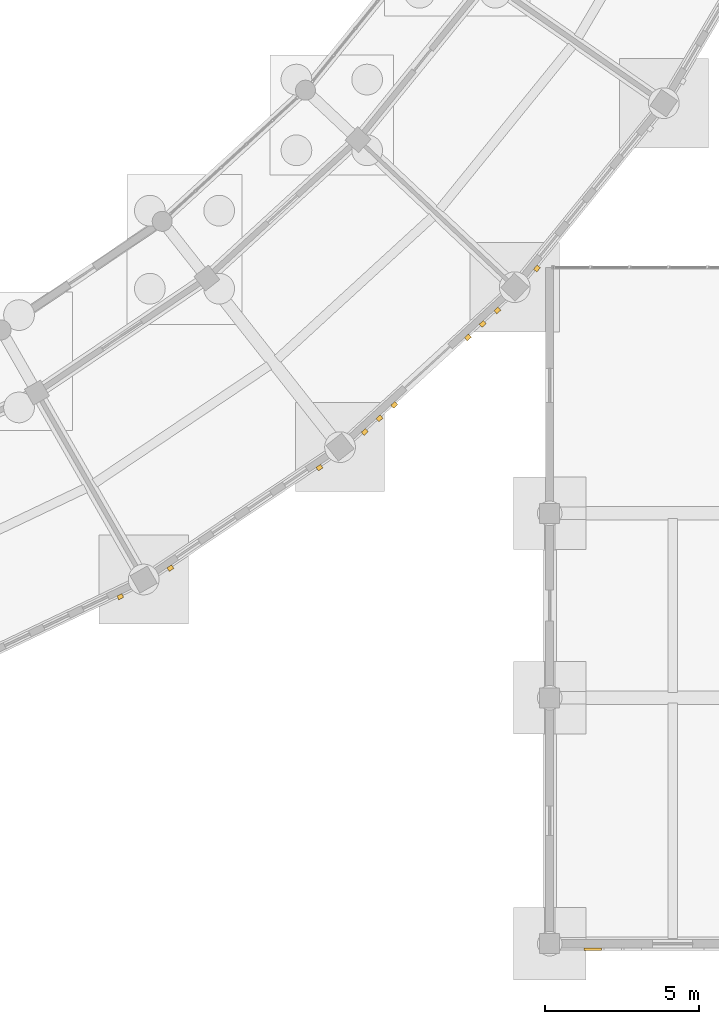
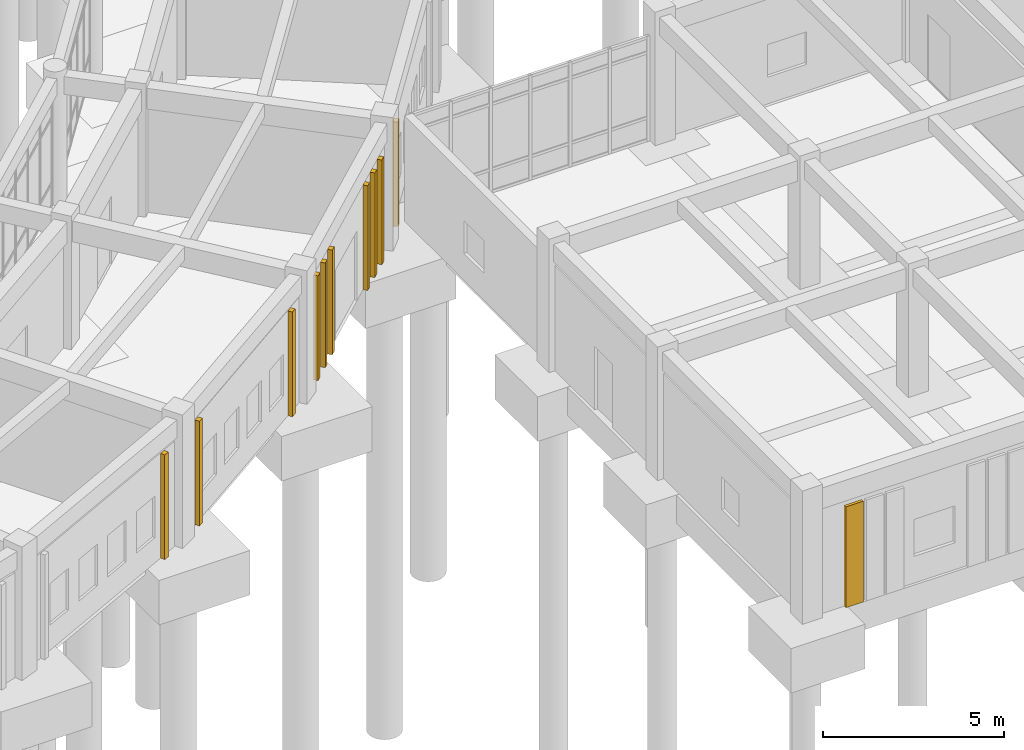
# One storey, part 144 of 153: 10 coverings, 1 shading device.
"""IFC4 building model written with IfcOpenShell, lengths in metres."""

from ifc_helpers import new_model, si_unit, direction, frame, origin, origin_2d, place, context, subcontext, project, spatial, rectangle, extrude, material, layer, layer_set, type_object, element, save


model = new_model("IFC4")

# Units and contexts
model_context = context("Model", 3, precision=1e-05, world=origin(), true_north=direction((0.0, 1.0)))
body_context = subcontext(model_context, "Body", "Model", "MODEL_VIEW")
ifc_project = project(units=[si_unit("LENGTHUNIT", "METRE"), si_unit("AREAUNIT", "SQUARE_METRE"), si_unit("VOLUMEUNIT", "CUBIC_METRE"), si_unit("PLANEANGLEUNIT", "RADIAN"), si_unit("MASSUNIT", "GRAM", prefix="KILO")], contexts=[model_context])

# Site, building, storey
site_placement = place(None, origin())
site = spatial("IfcSite", under=ifc_project, at=site_placement, CompositionType="ELEMENT")
building_placement = place(site_placement, origin())
building = spatial("IfcBuilding", under=site, at=building_placement, Name="Celadon Cloister-Ring School", CompositionType="ELEMENT")
storey_placement = place(building_placement, origin())
storey = spatial("IfcBuildingStorey", under=building, at=storey_placement, Name="L00", CompositionType="ELEMENT", Elevation=0.0)

# Coverings
ifc_material_1 = material(Name="Perforated terracotta clay brick masonry", Category="masonry")
ifc_layer = layer(ifc_material_1, 0.139892578125)
ifc_layer_set = layer_set([ifc_layer], Name="Perforated terracotta clay brick masonry")
covering_type = type_object("IfcCoveringType", Name="CV-SC1", PredefinedType="CLADDING", material=ifc_layer_set)
for number, where, z_axis, x_axis, name in (
    (1, (112.031982421875, 13.2880859375, 0.0), (0.0, 0.0, 1.0), (-0.90274301428, -0.430180253114, 0.0), "Brick Screen Rib 0064"),
    (2, (118.510009765625, 17.488037109375, 0.0), (0.0, 0.0, 1.0), (-0.829193696345, -0.558961370706, 0.0), "Brick Screen Rib 0066"),
    (3, (113.659912109375, 14.218017578125, 0.0), (0.0, 0.0, 1.0), (-0.829193696345, -0.558961370706, 0.0), "Brick Screen Rib 0067"),
    (4, (124.298095703125, 22.59912109375, 0.0), (0.0, 0.0, 1.0), (-0.737501330465, -0.67534568005, 0.0), "Brick Screen Rib 0068"),
    (5, (123.818115234375, 22.159912109375, 0.0), (0.0, 0.0, 1.0), (-0.737501330465, -0.67534568005, 0.0), "Brick Screen Rib 0069"),
    (6, (123.339111328125, 21.720947265625, 0.0), (0.0, 0.0, 1.0), (-0.737501330465, -0.67534568005, 0.0), "Brick Screen Rib 0070"),
    (7, (120.94189453125, 19.527099609375, 0.0), (0.0, 0.0, 1.0), (-0.737501330465, -0.67534568005, 0.0), "Brick Screen Rib 0071"),
    (8, (120.462890625, 19.087890625, 0.0), (0.0, 0.0, 1.0), (-0.737501330465, -0.67534568005, 0.0), "Brick Screen Rib 0072"),
    (9, (119.98291015625, 18.64892578125, 0.0), (0.0, 0.0, 1.0), (-0.737501330465, -0.67534568005, 0.0), "Brick Screen Rib 0073"),
    (10, (125.5830078125, 23.964111328125, 0.0), (0.0, 0.0, 1.0), (-0.629510264842, -0.776992166279, 0.0), "Brick Screen Rib 0075"),
):
    element("IfcCovering", number, at=place(storey_placement, frame(where, z_axis=z_axis, x_axis=x_axis)), inside=storey, type_object=covering_type, Name=name, PredefinedType="CLADDING", context=body_context, shape_type="SweptSolid", body=[
        extrude(rectangle(XDim=0.179931640625, YDim=0.139892578125, at=origin_2d()), origin(), (0.0, 0.0, 1.0), 3.530029296875),
    ])

# Shading device
ifc_material_2 = material(Name="Glazed celadon architectural terracotta", Category="masonry")
shading_device_type = type_object("IfcShadingDeviceType", Name="SD-02", PredefinedType="USERDEFINED", material=ifc_material_2)
shading_device_placement = place(storey_placement, frame((127.39990234375, 1.818115234375, 0.0), z_axis=(0.0, 0.0, 1.0), x_axis=(-1.0, 0.0, 0.0)))
element("IfcShadingDevice", 11, at=shading_device_placement, inside=storey, type_object=shading_device_type, Name="Celadon Sunshade Screen 0027", ObjectType="SUNSHADE", PredefinedType="USERDEFINED", context=body_context, shape_type="SweptSolid", body=[
    extrude(rectangle(XDim=0.56005859375, YDim=0.090087890625, at=origin_2d()), origin(), (0.0, 0.0, 1.0), 3.39990234375),
])

save(model, "model.ifc")
